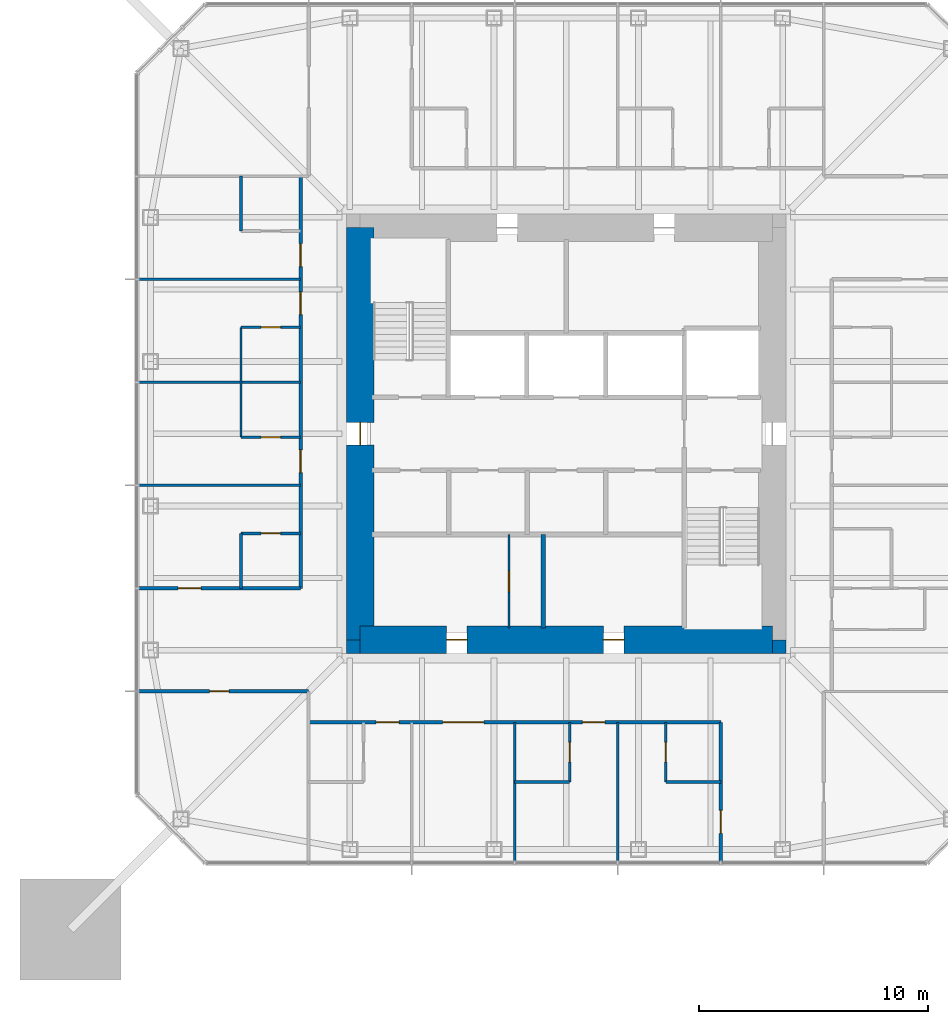
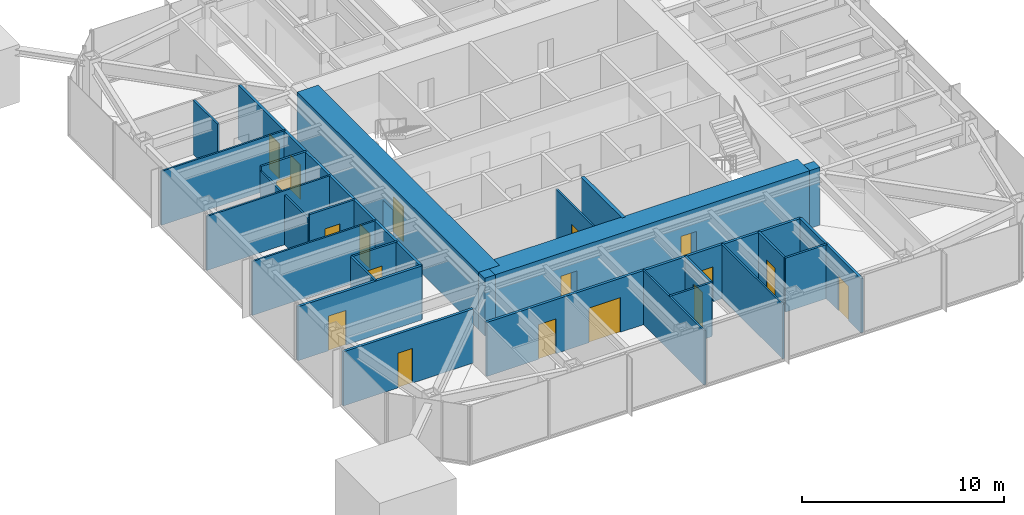
# One storey, part 6 of 11: 26 walls, 18 doors, 18 openings.
"""IFC4 building model written with IfcOpenShell, lengths in metres."""

from ifc_helpers import new_model, si_unit, direction, frame, frame_2d, origin, place, context, subcontext, project, spatial, rectangle, extrude, material, layer, layer_set, type_object, element, fill, save


model = new_model("IFC4")

# Units and contexts
model_context = context("Model", 3, precision=1e-05, world=origin(), true_north=direction((0.0, 1.0)))
body_context = subcontext(model_context, "Body", "Model", "MODEL_VIEW")
ifc_project = project(units=[si_unit("LENGTHUNIT", "METRE"), si_unit("AREAUNIT", "SQUARE_METRE"), si_unit("VOLUMEUNIT", "CUBIC_METRE"), si_unit("PLANEANGLEUNIT", "RADIAN"), si_unit("MASSUNIT", "GRAM", prefix="KILO")], contexts=[model_context])

# Site, building, storey
site_placement = place(None, origin())
site = spatial("IfcSite", under=ifc_project, at=site_placement, CompositionType="ELEMENT")
building_placement = place(site_placement, origin())
building = spatial("IfcBuilding", under=site, at=building_placement, Name="Iwan Alto Co-Living Towers", CompositionType="ELEMENT")
storey_placement = place(building_placement, frame((0.0, 0.0, 156.5)))
storey = spatial("IfcBuildingStorey", under=building, at=storey_placement, Name="L42", CompositionType="ELEMENT", Elevation=156.5)

# Wall, openings, doors
ifc_material_1 = material(Name="Gypsum board")
ifc_layer_1 = layer(ifc_material_1, 0.02490234375, Name="Board", Category="Finish")
ifc_material_2 = material(Name="Steel ASTM A1003 ST33H cold-formed studs", Category="steel")
ifc_layer_2 = layer(ifc_material_2, 0.10009765625, Name="Studs", Category="Framing")
ifc_layer_3 = layer(ifc_material_1, 0.02490234375, Name="Board", Category="Finish")
ifc_layer_set_1 = layer_set([ifc_layer_1, ifc_layer_2, ifc_layer_3], Name="CORRIDOR WALL 150")
wall_type_1 = type_object("IfcWallType", Name="CORRIDOR WALL 150", PredefinedType="PARTITIONING", material=ifc_layer_set_1)
wall_1_placement = place(storey_placement, frame((-11.25, -12.60009765625, 0.0), z_axis=(0.0, 0.0, 1.0), x_axis=(1.0, 0.0, 0.0)))
wall_1 = element("IfcWall", 1, at=wall_1_placement, inside=storey, type_object=wall_type_1, Name="Partition L42", PredefinedType="PARTITIONING", context=body_context, shape_type="SweptSolid", body=[
    extrude(rectangle(XDim=18.0, YDim=0.14990234375, at=frame_2d((9.0, 0.0))), origin(), (0.0, 0.0, 1.0), 3.27001953125),
])
opening_1_placement = place(wall_1_placement, frame((2.949951171875, 0.0, 0.0)))
opening_1 = element("IfcOpeningElement", 2, at=opening_1_placement, cuts=wall_1, Name="Opening D3", PredefinedType="OPENING", context=body_context, shape_type="SweptSolid", body=[
    extrude(rectangle(XDim=1.0, YDim=2.10009765625, at=frame_2d((0.5, 1.050048828125))), frame((0.0, 0.0849609375, 0.0), z_axis=(0.0, -1.0, 0.0), x_axis=(1.0, 0.0, 0.0)), (0.0, 0.0, 1.0), 0.169921875),
])
opening_2_placement = place(wall_1_placement, frame((5.85009765625, 0.0, 0.0)))
opening_2 = element("IfcOpeningElement", 3, at=opening_2_placement, cuts=wall_1, Name="Opening D9", PredefinedType="OPENING", context=body_context, shape_type="SweptSolid", body=[
    extrude(rectangle(XDim=1.800048828125, YDim=2.10009765625, at=frame_2d((0.89990234375, 1.050048828125))), frame((0.0, 0.0849609375, 0.0), z_axis=(0.0, -1.0, 0.0), x_axis=(1.0, 0.0, 0.0)), (0.0, 0.0, 1.0), 0.169921875),
])
opening_3_placement = place(wall_1_placement, frame((11.949951171875, 0.0, 0.0)))
opening_3 = element("IfcOpeningElement", 4, at=opening_3_placement, cuts=wall_1, Name="Opening D3", PredefinedType="OPENING", context=body_context, shape_type="SweptSolid", body=[
    extrude(rectangle(XDim=1.0, YDim=2.10009765625, at=frame_2d((0.5, 1.050048828125))), frame((0.0, 0.0849609375, 0.0), z_axis=(0.0, -1.0, 0.0), x_axis=(1.0, 0.0, 0.0)), (0.0, 0.0, 1.0), 0.169921875),
])
ifc_material_3 = material(Name="Steel frame with timber leaf", Category="steel")
door_type_1 = type_object("IfcDoorType", Name="FLAT ENTRANCE DOOR FD30S 1000X2100", OperationType="SINGLE_SWING_LEFT", PredefinedType="DOOR", material=ifc_material_3)
door_1_placement = place(opening_1_placement, frame((1.0, 0.0, 0.0), z_axis=(0.0, 0.0, 1.0), x_axis=(-1.0, 0.0, 0.0)))
door_1 = element("IfcDoor", 5, at=door_1_placement, inside=storey, type_object=door_type_1, Name="Studio door L42", OperationType="SINGLE_SWING_RIGHT", OverallHeight=2.10009765625, OverallWidth=1.0, PredefinedType="DOOR", context=body_context, shape_type="SweptSolid", body=[
    extrude(rectangle(XDim=1.0, YDim=2.10009765625, at=frame_2d((0.5, 1.050048828125))), frame((0.0, 0.02490234375, 0.0), z_axis=(0.0, -1.0, 0.0), x_axis=(1.0, 0.0, 0.0)), (0.0, 0.0, 1.0), 0.050048828125),
])
fill(opening_1, door_1)
door_2_placement = place(opening_3_placement, frame((1.0, 0.0, 0.0), z_axis=(0.0, 0.0, 1.0), x_axis=(-1.0, 0.0, 0.0)))
door_2 = element("IfcDoor", 6, at=door_2_placement, inside=storey, type_object=door_type_1, Name="Studio door L42", OperationType="SINGLE_SWING_RIGHT", OverallHeight=2.10009765625, OverallWidth=1.0, PredefinedType="DOOR", context=body_context, shape_type="SweptSolid", body=[
    extrude(rectangle(XDim=1.0, YDim=2.10009765625, at=frame_2d((0.5, 1.050048828125))), frame((0.0, 0.02490234375, 0.0), z_axis=(0.0, -1.0, 0.0), x_axis=(1.0, 0.0, 0.0)), (0.0, 0.0, 1.0), 0.050048828125),
])
fill(opening_3, door_2)
ifc_material_4 = material(Name="Steel frame with timber leaf", Category="steel")
door_type_2 = type_object("IfcDoorType", Name="LOUNGE DOOR FD30S 1800X2100", OperationType="DOUBLE_DOOR_SINGLE_SWING", PredefinedType="DOOR", material=ifc_material_4)
door_3_placement = place(opening_2_placement, frame((1.800048828125, 0.0, 0.0), z_axis=(0.0, 0.0, 1.0), x_axis=(-1.0, 0.0, 0.0)))
door_3 = element("IfcDoor", 7, at=door_3_placement, inside=storey, type_object=door_type_2, Name="Seminar room door L42", OperationType="DOUBLE_DOOR_SINGLE_SWING", OverallHeight=2.10009765625, OverallWidth=1.800048828125, PredefinedType="DOOR", context=body_context, shape_type="SweptSolid", body=[
    extrude(rectangle(XDim=1.800048828125, YDim=2.10009765625, at=frame_2d((0.89990234375, 1.050048828125))), frame((0.0, 0.02490234375, 0.0), z_axis=(0.0, -1.0, 0.0), x_axis=(1.0, 0.0, 0.0)), (0.0, 0.0, 1.0), 0.050048828125),
])
fill(opening_2, door_3)

# Wall, opening, door
wall_2_placement = place(storey_placement, frame((-18.68994140625, -11.25, 0.0), z_axis=(0.0, 0.0, 1.0), x_axis=(1.0, 0.0, 0.0)))
wall_2 = element("IfcWall", 8, at=wall_2_placement, inside=storey, type_object=wall_type_1, Name="Partition L42", PredefinedType="PARTITIONING", context=body_context, shape_type="SweptSolid", body=[
    extrude(rectangle(XDim=7.43994140625, YDim=0.14990234375, at=frame_2d((3.719970703125, 0.0))), origin(), (0.0, 0.0, 1.0), 3.27001953125),
])
opening_4_placement = place(wall_2_placement, frame((3.1201171875, 0.0, 0.0)))
opening_4 = element("IfcOpeningElement", 9, at=opening_4_placement, cuts=wall_2, Name="Opening D2", PredefinedType="OPENING", context=body_context, shape_type="SweptSolid", body=[
    extrude(rectangle(XDim=0.85009765625, YDim=2.10009765625, at=frame_2d((0.425048828125, 1.050048828125))), frame((0.0, 0.0849609375, 0.0), z_axis=(0.0, -1.0, 0.0), x_axis=(1.0, 0.0, 0.0)), (0.0, 0.0, 1.0), 0.169921875),
])
ifc_material_5 = material(Name="Timber leaf in steel frame", Category="steel")
door_type_3 = type_object("IfcDoorType", Name="ROOM DOOR 850X2100", OperationType="SINGLE_SWING_LEFT", PredefinedType="DOOR", material=ifc_material_5)
door_4_placement = place(opening_4_placement, frame((0.85009765625, 0.0, 0.0), z_axis=(0.0, 0.0, 1.0), x_axis=(-1.0, 0.0, 0.0)))
door_4 = element("IfcDoor", 10, at=door_4_placement, inside=storey, type_object=door_type_3, Name="Shared kitchen and lounge door L42", OperationType="SINGLE_SWING_RIGHT", OverallHeight=2.10009765625, OverallWidth=0.85009765625, PredefinedType="DOOR", context=body_context, shape_type="SweptSolid", body=[
    extrude(rectangle(XDim=0.85009765625, YDim=2.10009765625, at=frame_2d((0.425048828125, 1.050048828125))), frame((0.0, 0.02490234375, 0.0), z_axis=(0.0, -1.0, 0.0), x_axis=(1.0, 0.0, 0.0)), (0.0, 0.0, 1.0), 0.050048828125),
])
fill(opening_4, door_4)

wall_3_placement = place(storey_placement, frame((-18.68994140625, -6.75, 0.0), z_axis=(0.0, 0.0, 1.0), x_axis=(1.0, 0.0, 0.0)))
wall_3 = element("IfcWall", 11, at=wall_3_placement, inside=storey, type_object=wall_type_1, Name="Partition L42", PredefinedType="PARTITIONING", context=body_context, shape_type="SweptSolid", body=[
    extrude(rectangle(XDim=7.08984375, YDim=0.14990234375, at=frame_2d((3.544921875, 0.0))), origin(), (0.0, 0.0, 1.0), 3.27001953125),
])
opening_5_placement = place(wall_3_placement, frame((1.7451171875, 0.0, 0.0)))
opening_5 = element("IfcOpeningElement", 12, at=opening_5_placement, cuts=wall_3, Name="Opening D3", PredefinedType="OPENING", context=body_context, shape_type="SweptSolid", body=[
    extrude(rectangle(XDim=1.0, YDim=2.10009765625, at=frame_2d((0.5, 1.050048828125))), frame((0.0, 0.0849609375, 0.0), z_axis=(0.0, -1.0, 0.0), x_axis=(1.0, 0.0, 0.0)), (0.0, 0.0, 1.0), 0.169921875),
])
door_5_placement = place(opening_5_placement, origin())
door_5 = element("IfcDoor", 13, at=door_5_placement, inside=storey, type_object=door_type_1, Name="Studio door L42", OperationType="SINGLE_SWING_RIGHT", OverallHeight=2.10009765625, OverallWidth=1.0, PredefinedType="DOOR", context=body_context, shape_type="SweptSolid", body=[
    extrude(rectangle(XDim=1.0, YDim=2.10009765625, at=frame_2d((0.5, 1.050048828125))), frame((0.0, 0.02490234375, 0.0), z_axis=(0.0, -1.0, 0.0), x_axis=(1.0, 0.0, 0.0)), (0.0, 0.0, 1.0), 0.050048828125),
])
fill(opening_5, door_5)

wall_4_placement = place(storey_placement, frame((6.75, -18.68994140625, 0.0), z_axis=(0.0, 0.0, 1.0), x_axis=(0.0, 1.0, 0.0)))
wall_4 = element("IfcWall", 14, at=wall_4_placement, inside=storey, type_object=wall_type_1, Name="Partition L42", PredefinedType="PARTITIONING", context=body_context, shape_type="SweptSolid", body=[
    extrude(rectangle(XDim=6.08984375, YDim=0.14990234375, at=frame_2d((3.044921875, 0.0))), origin(), (0.0, 0.0, 1.0), 3.27001953125),
])
opening_6_placement = place(wall_4_placement, frame((1.2451171875, 0.0, 0.0)))
opening_6 = element("IfcOpeningElement", 15, at=opening_6_placement, cuts=wall_4, Name="Opening D3", PredefinedType="OPENING", context=body_context, shape_type="SweptSolid", body=[
    extrude(rectangle(XDim=1.0, YDim=2.10009765625, at=frame_2d((0.5, 1.050048828125))), frame((0.0, 0.0849609375, 0.0), z_axis=(0.0, -1.0, 0.0), x_axis=(1.0, 0.0, 0.0)), (0.0, 0.0, 1.0), 0.169921875),
])
door_6_placement = place(opening_6_placement, origin())
door_6 = element("IfcDoor", 16, at=door_6_placement, inside=storey, type_object=door_type_1, Name="Studio door L42", OperationType="SINGLE_SWING_RIGHT", OverallHeight=2.10009765625, OverallWidth=1.0, PredefinedType="DOOR", context=body_context, shape_type="SweptSolid", body=[
    extrude(rectangle(XDim=1.0, YDim=2.10009765625, at=frame_2d((0.5, 1.050048828125))), frame((0.0, 0.02490234375, 0.0), z_axis=(0.0, -1.0, 0.0), x_axis=(1.0, 0.0, 0.0)), (0.0, 0.0, 1.0), 0.050048828125),
])
fill(opening_6, door_6)

# Wall, openings, doors
wall_5_placement = place(storey_placement, frame((-11.60009765625, -6.75, 0.0), z_axis=(0.0, 0.0, 1.0), x_axis=(0.0, 1.0, 0.0)))
wall_5 = element("IfcWall", 17, at=wall_5_placement, inside=storey, type_object=wall_type_1, Name="Partition L42", PredefinedType="PARTITIONING", context=body_context, shape_type="SweptSolid", body=[
    extrude(rectangle(XDim=18.0, YDim=0.14990234375, at=frame_2d((9.0, 0.0))), origin(), (0.0, 0.0, 1.0), 3.27001953125),
])
opening_7_placement = place(wall_5_placement, frame((14.050048828125, 0.0, 0.0)))
opening_7 = element("IfcOpeningElement", 18, at=opening_7_placement, cuts=wall_5, Name="Opening D3", PredefinedType="OPENING", context=body_context, shape_type="SweptSolid", body=[
    extrude(rectangle(XDim=1.0, YDim=2.10009765625, at=frame_2d((0.5, 1.050048828125))), frame((0.0, 0.0849609375, 0.0), z_axis=(0.0, -1.0, 0.0), x_axis=(1.0, 0.0, 0.0)), (0.0, 0.0, 1.0), 0.169921875),
])
opening_8_placement = place(wall_5_placement, frame((11.949951171875, 0.0, 0.0)))
opening_8 = element("IfcOpeningElement", 19, at=opening_8_placement, cuts=wall_5, Name="Opening D3", PredefinedType="OPENING", context=body_context, shape_type="SweptSolid", body=[
    extrude(rectangle(XDim=1.0, YDim=2.10009765625, at=frame_2d((0.5, 1.050048828125))), frame((0.0, 0.0849609375, 0.0), z_axis=(0.0, -1.0, 0.0), x_axis=(1.0, 0.0, 0.0)), (0.0, 0.0, 1.0), 0.169921875),
])
opening_9_placement = place(wall_5_placement, frame((5.050048828125, 0.0, 0.0)))
opening_9 = element("IfcOpeningElement", 20, at=opening_9_placement, cuts=wall_5, Name="Opening D3", PredefinedType="OPENING", context=body_context, shape_type="SweptSolid", body=[
    extrude(rectangle(XDim=1.0, YDim=2.10009765625, at=frame_2d((0.5, 1.050048828125))), frame((0.0, 0.0849609375, 0.0), z_axis=(0.0, -1.0, 0.0), x_axis=(1.0, 0.0, 0.0)), (0.0, 0.0, 1.0), 0.169921875),
])
door_7_placement = place(opening_7_placement, origin())
door_7 = element("IfcDoor", 21, at=door_7_placement, inside=storey, type_object=door_type_1, Name="Studio door L42", OperationType="SINGLE_SWING_LEFT", OverallHeight=2.10009765625, OverallWidth=1.0, PredefinedType="DOOR", context=body_context, shape_type="SweptSolid", body=[
    extrude(rectangle(XDim=1.0, YDim=2.10009765625, at=frame_2d((0.5, 1.050048828125))), frame((0.0, 0.02490234375, 0.0), z_axis=(0.0, -1.0, 0.0), x_axis=(1.0, 0.0, 0.0)), (0.0, 0.0, 1.0), 0.050048828125),
])
fill(opening_7, door_7)
door_8_placement = place(opening_8_placement, origin())
door_8 = element("IfcDoor", 22, at=door_8_placement, inside=storey, type_object=door_type_1, Name="Studio door L42", OperationType="SINGLE_SWING_LEFT", OverallHeight=2.10009765625, OverallWidth=1.0, PredefinedType="DOOR", context=body_context, shape_type="SweptSolid", body=[
    extrude(rectangle(XDim=1.0, YDim=2.10009765625, at=frame_2d((0.5, 1.050048828125))), frame((0.0, 0.02490234375, 0.0), z_axis=(0.0, -1.0, 0.0), x_axis=(1.0, 0.0, 0.0)), (0.0, 0.0, 1.0), 0.050048828125),
])
fill(opening_8, door_8)
door_9_placement = place(opening_9_placement, origin())
door_9 = element("IfcDoor", 23, at=door_9_placement, inside=storey, type_object=door_type_1, Name="Studio door L42", OperationType="SINGLE_SWING_LEFT", OverallHeight=2.10009765625, OverallWidth=1.0, PredefinedType="DOOR", context=body_context, shape_type="SweptSolid", body=[
    extrude(rectangle(XDim=1.0, YDim=2.10009765625, at=frame_2d((0.5, 1.050048828125))), frame((0.0, 0.02490234375, 0.0), z_axis=(0.0, -1.0, 0.0), x_axis=(1.0, 0.0, 0.0)), (0.0, 0.0, 1.0), 0.050048828125),
])
fill(opening_9, door_9)

# Walls
ifc_layer_4 = layer(ifc_material_1, 0.012451171875, Name="Board", Category="Finish")
ifc_layer_5 = layer(ifc_material_2, 0.074951171875, Name="Studs", Category="Framing")
ifc_layer_6 = layer(ifc_material_1, 0.012451171875, Name="Board", Category="Finish")
ifc_layer_set_2 = layer_set([ifc_layer_4, ifc_layer_5, ifc_layer_6], Name="PARTITION 100")
wall_type_2 = type_object("IfcWallType", Name="PARTITION 100", PredefinedType="PARTITIONING", material=ifc_layer_set_2)
for number, where, z_axis, x_axis, name in (
    (24, (-18.68994140625, -2.25, 0.0), (0.0, 0.0, 1.0), (1.0, 0.0, 0.0), "Partition L42"),
    (25, (-18.68994140625, 2.25, 0.0), (0.0, 0.0, 1.0), (1.0, 0.0, 0.0), "Partition L42"),
    (26, (-18.68994140625, 6.75, 0.0), (0.0, 0.0, 1.0), (1.0, 0.0, 0.0), "Partition L42"),
):
    element("IfcWall", number, at=place(storey_placement, frame(where, z_axis=z_axis, x_axis=x_axis)), inside=storey, type_object=wall_type_2, Name=name, PredefinedType="PARTITIONING", context=body_context, shape_type="SweptSolid", body=[
        extrude(rectangle(XDim=7.08984375, YDim=0.10009765625, at=frame_2d((3.544921875, 0.0))), origin(), (0.0, 0.0, 1.0), 3.27001953125),
    ])
for number, where, z_axis, x_axis, name in (
    (27, (2.25, -18.68994140625, 0.0), (0.0, 0.0, 1.0), (0.0, 1.0, 0.0), "Partition L42"),
    (28, (-2.25, -18.68994140625, 0.0), (0.0, 0.0, 1.0), (0.0, 1.0, 0.0), "Partition L42"),
):
    element("IfcWall", number, at=place(storey_placement, frame(where, z_axis=z_axis, x_axis=x_axis)), inside=storey, type_object=wall_type_2, Name=name, PredefinedType="PARTITIONING", context=body_context, shape_type="SweptSolid", body=[
        extrude(rectangle(XDim=6.08984375, YDim=0.10009765625, at=frame_2d((3.044921875, 0.0))), origin(), (0.0, 0.0, 1.0), 3.27001953125),
    ])

# Wall, opening, door
wall_6_placement = place(storey_placement, frame((-2.5, -8.489990234375, 0.0), z_axis=(0.0, 0.0, 1.0), x_axis=(0.0, 1.0, 0.0)))
wall_6 = element("IfcWall", 29, at=wall_6_placement, inside=storey, type_object=wall_type_2, Name="Partition L42", PredefinedType="PARTITIONING", context=body_context, shape_type="SweptSolid", body=[
    extrude(rectangle(XDim=4.090087890625, YDim=0.10009765625, at=frame_2d((2.044921875, 0.0))), origin(), (0.0, 0.0, 1.0), 3.300048828125),
])
opening_10_placement = place(wall_6_placement, frame((1.594970703125, 0.0, 0.0)))
opening_10 = element("IfcOpeningElement", 30, at=opening_10_placement, cuts=wall_6, Name="Opening D16", PredefinedType="OPENING", context=body_context, shape_type="SweptSolid", body=[
    extrude(rectangle(XDim=0.89990234375, YDim=2.10009765625, at=frame_2d((0.449951171875, 1.050048828125))), frame((0.0, 0.06005859375, 0.0), z_axis=(0.0, -1.0, 0.0), x_axis=(1.0, 0.0, 0.0)), (0.0, 0.0, 1.0), 0.1201171875),
])
ifc_material_6 = material(Name="Timber leaf in steel frame", Category="steel")
door_type_4 = type_object("IfcDoorType", Name="CUPBOARD SLIDING DOOR 900X2100", OperationType="SLIDING_TO_LEFT", PredefinedType="DOOR", material=ifc_material_6)
door_10_placement = place(opening_10_placement, origin())
door_10 = element("IfcDoor", 31, at=door_10_placement, inside=storey, type_object=door_type_4, Name="Recycling store door L42", OperationType="SLIDING_TO_LEFT", OverallHeight=2.10009765625, OverallWidth=0.89990234375, PredefinedType="DOOR", context=body_context, shape_type="SweptSolid", body=[
    extrude(rectangle(XDim=0.89990234375, YDim=2.10009765625, at=frame_2d((0.449951171875, 1.050048828125))), frame((0.0, 0.02490234375, 0.0), z_axis=(0.0, -1.0, 0.0), x_axis=(1.0, 0.0, 0.0)), (0.0, 0.0, 1.0), 0.050048828125),
])
fill(opening_10, door_10)

# Walls
wall_7_placement = place(storey_placement, frame((-14.199951171875, -0.14990234375, 0.0), z_axis=(0.0, 0.0, 1.0), x_axis=(0.0, 1.0, 0.0)))
element("IfcWall", 32, at=wall_7_placement, inside=storey, type_object=wall_type_2, Name="Partition L42", PredefinedType="PARTITIONING", context=body_context, shape_type="SweptSolid", body=[
    extrude(rectangle(XDim=4.7998046875, YDim=0.10009765625, at=frame_2d((2.39990234375, 0.0))), origin(), (0.0, 0.0, 1.0), 3.0),
])
ifc_material_7 = material(Name="Concrete f'c 70 MPa", Category="concrete")
ifc_layer_7 = layer(ifc_material_7, 0.199951171875)
ifc_layer_set_3 = layer_set([ifc_layer_7], Name="SHAFT WALL 200")
wall_type_3 = type_object("IfcWallType", Name="SHAFT WALL 200", PredefinedType="SOLIDWALL", material=ifc_layer_set_3)
wall_8_placement = place(storey_placement, frame((-1.0, -8.489990234375, 0.0), z_axis=(0.0, 0.0, 1.0), x_axis=(0.0, 1.0, 0.0)))
element("IfcWall", 33, at=wall_8_placement, inside=storey, type_object=wall_type_3, Name="Shaft wall L42", PredefinedType="SOLIDWALL", context=body_context, shape_type="SweptSolid", body=[
    extrude(rectangle(XDim=4.090087890625, YDim=0.199951171875, at=frame_2d((2.044921875, 0.0))), origin(), (0.0, 0.0, 1.0), 3.5),
])
ifc_material_8 = material(Name="Concrete f'c 70 MPa", Category="concrete")
ifc_layer_8 = layer(ifc_material_8, 0.60009765625)
ifc_layer_set_4 = layer_set([ifc_layer_8], Name="T1 CORE CORNER FILL 600")
wall_type_4 = type_object("IfcWallType", Name="T1 CORE CORNER FILL 600", PredefinedType="SOLIDWALL", material=ifc_layer_set_4)
for number, where, z_axis, x_axis, name in (
    (34, (-9.60009765625, -9.300048828125, 0.0), (0.0, 0.0, 1.0), (1.0, 0.0, 0.0), "T1 core corner SW L42"),
    (35, (9.0, -9.300048828125, 0.0), (0.0, 0.0, 1.0), (1.0, 0.0, 0.0), "T1 core corner SE L42"),
):
    element("IfcWall", number, at=place(storey_placement, frame(where, z_axis=z_axis, x_axis=x_axis)), inside=storey, type_object=wall_type_4, Name=name, PredefinedType="SOLIDWALL", context=body_context, shape_type="SweptSolid", body=[
        extrude(rectangle(XDim=0.60009765625, YDim=0.60009765625, at=frame_2d((0.300048828125, 0.0))), origin(), (0.0, 0.0, 1.0), 3.5),
    ])

# Wall, openings, doors
ifc_material_9 = material(Name="Concrete f'c 70 MPa", Category="concrete")
ifc_layer_9 = layer(ifc_material_9, 1.199951171875)
ifc_layer_set_5 = layer_set([ifc_layer_9], Name="T1 CORE WALL 1200")
wall_type_5 = type_object("IfcWallType", Name="T1 CORE WALL 1200", PredefinedType="SHEAR", material=ifc_layer_set_5)
wall_9_placement = place(storey_placement, frame((-9.0, -9.0, 0.0), z_axis=(0.0, 0.0, 1.0), x_axis=(1.0, 0.0, 0.0)))
wall_9 = element("IfcWall", 36, at=wall_9_placement, inside=storey, type_object=wall_type_5, Name="T1 core wall S L42", PredefinedType="SHEAR", context=body_context, shape_type="SweptSolid", body=[
    extrude(rectangle(XDim=18.0, YDim=1.199951171875, at=frame_2d((9.0, 0.0))), origin(), (0.0, 0.0, 1.0), 3.5),
])
opening_11_placement = place(wall_9_placement, frame((3.77490234375, 0.0, 0.0)))
opening_11 = element("IfcOpeningElement", 37, at=opening_11_placement, cuts=wall_9, Name="Opening D8", PredefinedType="OPENING", context=body_context, shape_type="SweptSolid", body=[
    extrude(rectangle(XDim=0.89990234375, YDim=2.10009765625, at=frame_2d((0.449951171875, 1.050048828125))), frame((0.0, 0.60986328125, 0.0), z_axis=(0.0, -1.0, 0.0), x_axis=(1.0, 0.0, 0.0)), (0.0, 0.0, 1.0), 1.219970703125),
])
opening_12_placement = place(wall_9_placement, frame((10.625, 0.0, 0.0)))
opening_12 = element("IfcOpeningElement", 38, at=opening_12_placement, cuts=wall_9, Name="Opening D8", PredefinedType="OPENING", context=body_context, shape_type="SweptSolid", body=[
    extrude(rectangle(XDim=0.89990234375, YDim=2.10009765625, at=frame_2d((0.449951171875, 1.050048828125))), frame((0.0, 0.60986328125, 0.0), z_axis=(0.0, -1.0, 0.0), x_axis=(1.0, 0.0, 0.0)), (0.0, 0.0, 1.0), 1.219970703125),
])
ifc_material_10 = material(Name="Steel frame with timber leaf", Category="steel")
door_type_5 = type_object("IfcDoorType", Name="RISER DOOR FD120 900X2100", OperationType="SINGLE_SWING_LEFT", PredefinedType="DOOR", material=ifc_material_10)
door_11_placement = place(opening_11_placement, origin())
door_11 = element("IfcDoor", 39, at=door_11_placement, inside=storey, type_object=door_type_5, Name="Refuse room core door L42", OperationType="SINGLE_SWING_RIGHT", OverallHeight=2.10009765625, OverallWidth=0.89990234375, PredefinedType="DOOR", context=body_context, shape_type="SweptSolid", body=[
    extrude(rectangle(XDim=0.89990234375, YDim=2.10009765625, at=frame_2d((0.449951171875, 1.050048828125))), frame((0.0, 0.02490234375, 0.0), z_axis=(0.0, -1.0, 0.0), x_axis=(1.0, 0.0, 0.0)), (0.0, 0.0, 1.0), 0.050048828125),
])
fill(opening_11, door_11)
door_12_placement = place(opening_12_placement, origin())
door_12 = element("IfcDoor", 40, at=door_12_placement, inside=storey, type_object=door_type_5, Name="Telecom riser core door L42", OperationType="SINGLE_SWING_LEFT", OverallHeight=2.10009765625, OverallWidth=0.89990234375, PredefinedType="DOOR", context=body_context, shape_type="SweptSolid", body=[
    extrude(rectangle(XDim=0.89990234375, YDim=2.10009765625, at=frame_2d((0.449951171875, 1.050048828125))), frame((0.0, 0.02490234375, 0.0), z_axis=(0.0, -1.0, 0.0), x_axis=(1.0, 0.0, 0.0)), (0.0, 0.0, 1.0), 0.050048828125),
])
fill(opening_12, door_12)

# Wall, opening, door
wall_10_placement = place(storey_placement, frame((-9.0, 9.0, 0.0), z_axis=(0.0, 0.0, 1.0), x_axis=(0.0, -1.0, 0.0)))
wall_10 = element("IfcWall", 41, at=wall_10_placement, inside=storey, type_object=wall_type_5, Name="T1 core wall W L42", PredefinedType="SHEAR", context=body_context, shape_type="SweptSolid", body=[
    extrude(rectangle(XDim=18.0, YDim=1.199951171875, at=frame_2d((9.0, 0.0))), origin(), (0.0, 0.0, 1.0), 3.5),
])
opening_13_placement = place(wall_10_placement, frame((8.5, 0.0, 0.0)))
opening_13 = element("IfcOpeningElement", 42, at=opening_13_placement, cuts=wall_10, Name="Opening D7", PredefinedType="OPENING", context=body_context, shape_type="SweptSolid", body=[
    extrude(rectangle(XDim=1.0, YDim=2.10009765625, at=frame_2d((0.5, 1.050048828125))), frame((0.0, 0.60986328125, 0.0), z_axis=(0.0, -1.0, 0.0), x_axis=(1.0, 0.0, 0.0)), (0.0, 0.0, 1.0), 1.219970703125),
])
ifc_material_11 = material(Name="Steel frame with timber leaf", Category="steel")
door_type_6 = type_object("IfcDoorType", Name="CORE DOOR FD120S 1000X2100", OperationType="SINGLE_SWING_LEFT", PredefinedType="DOOR", material=ifc_material_11)
door_13_placement = place(opening_13_placement, origin())
door_13 = element("IfcDoor", 43, at=door_13_placement, inside=storey, type_object=door_type_6, Name="Lift lobby core door L42", OperationType="SINGLE_SWING_RIGHT", OverallHeight=2.10009765625, OverallWidth=1.0, PredefinedType="DOOR", context=body_context, shape_type="SweptSolid", body=[
    extrude(rectangle(XDim=1.0, YDim=2.10009765625, at=frame_2d((0.5, 1.050048828125))), frame((0.0, 0.02490234375, 0.0), z_axis=(0.0, -1.0, 0.0), x_axis=(1.0, 0.0, 0.0)), (0.0, 0.0, 1.0), 0.050048828125),
])
fill(opening_13, door_13)

# Walls
ifc_material_12 = material(Name="Cement board")
ifc_layer_10 = layer(ifc_material_12, 0.012451171875, Name="Board", Category="Finish")
ifc_layer_11 = layer(ifc_material_2, 0.094970703125, Name="Studs", Category="Framing")
ifc_layer_12 = layer(ifc_material_12, 0.012451171875, Name="Board", Category="Finish")
ifc_layer_set_6 = layer_set([ifc_layer_10, ifc_layer_11, ifc_layer_12], Name="WET AREA PARTITION 120")
wall_type_6 = type_object("IfcWallType", Name="WET AREA PARTITION 120", PredefinedType="PARTITIONING", material=ifc_layer_set_6)
for number, where, z_axis, x_axis, name in (
    (44, (-2.25, -15.199951171875, 0.0), (0.0, 0.0, 1.0), (1.0, 0.0, 0.0), "Partition L42"),
    (45, (4.35009765625, -15.199951171875, 0.0), (0.0, 0.0, 1.0), (1.0, 0.0, 0.0), "Partition L42"),
):
    element("IfcWall", number, at=place(storey_placement, frame(where, z_axis=z_axis, x_axis=x_axis)), inside=storey, type_object=wall_type_6, Name=name, PredefinedType="PARTITIONING", context=body_context, shape_type="SweptSolid", body=[
        extrude(rectangle(XDim=2.39990234375, YDim=0.1201171875, at=frame_2d((1.199951171875, 0.0))), origin(), (0.0, 0.0, 1.0), 3.27001953125),
    ])

# Wall, opening, door
wall_11_placement = place(storey_placement, frame((-14.199951171875, -4.35009765625, 0.0), z_axis=(0.0, 0.0, 1.0), x_axis=(1.0, 0.0, 0.0)))
wall_11 = element("IfcWall", 46, at=wall_11_placement, inside=storey, type_object=wall_type_6, Name="Partition L42", PredefinedType="PARTITIONING", context=body_context, shape_type="SweptSolid", body=[
    extrude(rectangle(XDim=2.599853515625, YDim=0.1201171875, at=frame_2d((1.2998046875, 0.0))), origin(), (0.0, 0.0, 1.0), 3.27001953125),
])
opening_14_placement = place(wall_11_placement, frame((0.875, 0.0, 0.0)))
opening_14 = element("IfcOpeningElement", 47, at=opening_14_placement, cuts=wall_11, Name="Opening D2", PredefinedType="OPENING", context=body_context, shape_type="SweptSolid", body=[
    extrude(rectangle(XDim=0.85009765625, YDim=2.10009765625, at=frame_2d((0.425048828125, 1.050048828125))), frame((0.0, 0.070068359375, 0.0), z_axis=(0.0, -1.0, 0.0), x_axis=(1.0, 0.0, 0.0)), (0.0, 0.0, 1.0), 0.14013671875),
])
door_14_placement = place(opening_14_placement, origin())
door_14 = element("IfcDoor", 48, at=door_14_placement, inside=storey, type_object=door_type_3, Name="En-suite shower room door L42", OperationType="SINGLE_SWING_RIGHT", OverallHeight=2.10009765625, OverallWidth=0.85009765625, PredefinedType="DOOR", context=body_context, shape_type="SweptSolid", body=[
    extrude(rectangle(XDim=0.85009765625, YDim=2.10009765625, at=frame_2d((0.425048828125, 1.050048828125))), frame((0.0, 0.02490234375, 0.0), z_axis=(0.0, -1.0, 0.0), x_axis=(1.0, 0.0, 0.0)), (0.0, 0.0, 1.0), 0.050048828125),
])
fill(opening_14, door_14)

wall_12_placement = place(storey_placement, frame((-14.199951171875, -0.14990234375, 0.0), z_axis=(0.0, 0.0, 1.0), x_axis=(1.0, 0.0, 0.0)))
wall_12 = element("IfcWall", 49, at=wall_12_placement, inside=storey, type_object=wall_type_6, Name="Partition L42", PredefinedType="PARTITIONING", context=body_context, shape_type="SweptSolid", body=[
    extrude(rectangle(XDim=2.599853515625, YDim=0.1201171875, at=frame_2d((1.2998046875, 0.0))), origin(), (0.0, 0.0, 1.0), 3.27001953125),
])
opening_15_placement = place(wall_12_placement, frame((0.875, 0.0, 0.0)))
opening_15 = element("IfcOpeningElement", 50, at=opening_15_placement, cuts=wall_12, Name="Opening D2", PredefinedType="OPENING", context=body_context, shape_type="SweptSolid", body=[
    extrude(rectangle(XDim=0.85009765625, YDim=2.10009765625, at=frame_2d((0.425048828125, 1.050048828125))), frame((0.0, 0.070068359375, 0.0), z_axis=(0.0, -1.0, 0.0), x_axis=(1.0, 0.0, 0.0)), (0.0, 0.0, 1.0), 0.14013671875),
])
door_15_placement = place(opening_15_placement, frame((0.85009765625, 0.0, 0.0), z_axis=(0.0, 0.0, 1.0), x_axis=(-1.0, 0.0, 0.0)))
door_15 = element("IfcDoor", 51, at=door_15_placement, inside=storey, type_object=door_type_3, Name="En-suite shower room door L42", OperationType="SINGLE_SWING_LEFT", OverallHeight=2.10009765625, OverallWidth=0.85009765625, PredefinedType="DOOR", context=body_context, shape_type="SweptSolid", body=[
    extrude(rectangle(XDim=0.85009765625, YDim=2.10009765625, at=frame_2d((0.425048828125, 1.050048828125))), frame((0.0, 0.02490234375, 0.0), z_axis=(0.0, -1.0, 0.0), x_axis=(1.0, 0.0, 0.0)), (0.0, 0.0, 1.0), 0.050048828125),
])
fill(opening_15, door_15)

wall_13_placement = place(storey_placement, frame((-14.199951171875, 4.64990234375, 0.0), z_axis=(0.0, 0.0, 1.0), x_axis=(1.0, 0.0, 0.0)))
wall_13 = element("IfcWall", 52, at=wall_13_placement, inside=storey, type_object=wall_type_6, Name="Partition L42", PredefinedType="PARTITIONING", context=body_context, shape_type="SweptSolid", body=[
    extrude(rectangle(XDim=2.599853515625, YDim=0.1201171875, at=frame_2d((1.2998046875, 0.0))), origin(), (0.0, 0.0, 1.0), 3.27001953125),
])
opening_16_placement = place(wall_13_placement, frame((0.875, 0.0, 0.0)))
opening_16 = element("IfcOpeningElement", 53, at=opening_16_placement, cuts=wall_13, Name="Opening D2", PredefinedType="OPENING", context=body_context, shape_type="SweptSolid", body=[
    extrude(rectangle(XDim=0.85009765625, YDim=2.10009765625, at=frame_2d((0.425048828125, 1.050048828125))), frame((0.0, 0.070068359375, 0.0), z_axis=(0.0, -1.0, 0.0), x_axis=(1.0, 0.0, 0.0)), (0.0, 0.0, 1.0), 0.14013671875),
])
door_16_placement = place(opening_16_placement, origin())
door_16 = element("IfcDoor", 54, at=door_16_placement, inside=storey, type_object=door_type_3, Name="En-suite shower room door L42", OperationType="SINGLE_SWING_RIGHT", OverallHeight=2.10009765625, OverallWidth=0.85009765625, PredefinedType="DOOR", context=body_context, shape_type="SweptSolid", body=[
    extrude(rectangle(XDim=0.85009765625, YDim=2.10009765625, at=frame_2d((0.425048828125, 1.050048828125))), frame((0.0, 0.02490234375, 0.0), z_axis=(0.0, -1.0, 0.0), x_axis=(1.0, 0.0, 0.0)), (0.0, 0.0, 1.0), 0.050048828125),
])
fill(opening_16, door_16)

wall_14_placement = place(storey_placement, frame((4.35009765625, -15.199951171875, 0.0), z_axis=(0.0, 0.0, 1.0), x_axis=(0.0, 1.0, 0.0)))
wall_14 = element("IfcWall", 55, at=wall_14_placement, inside=storey, type_object=wall_type_6, Name="Partition L42", PredefinedType="PARTITIONING", context=body_context, shape_type="SweptSolid", body=[
    extrude(rectangle(XDim=2.599853515625, YDim=0.1201171875, at=frame_2d((1.2998046875, 0.0))), origin(), (0.0, 0.0, 1.0), 3.27001953125),
])
opening_17_placement = place(wall_14_placement, frame((0.875, 0.0, 0.0)))
opening_17 = element("IfcOpeningElement", 56, at=opening_17_placement, cuts=wall_14, Name="Opening D2", PredefinedType="OPENING", context=body_context, shape_type="SweptSolid", body=[
    extrude(rectangle(XDim=0.85009765625, YDim=2.10009765625, at=frame_2d((0.425048828125, 1.050048828125))), frame((0.0, 0.070068359375, 0.0), z_axis=(0.0, -1.0, 0.0), x_axis=(1.0, 0.0, 0.0)), (0.0, 0.0, 1.0), 0.14013671875),
])
door_17_placement = place(opening_17_placement, origin())
door_17 = element("IfcDoor", 57, at=door_17_placement, inside=storey, type_object=door_type_3, Name="En-suite shower room door L42", OperationType="SINGLE_SWING_RIGHT", OverallHeight=2.10009765625, OverallWidth=0.85009765625, PredefinedType="DOOR", context=body_context, shape_type="SweptSolid", body=[
    extrude(rectangle(XDim=0.85009765625, YDim=2.10009765625, at=frame_2d((0.425048828125, 1.050048828125))), frame((0.0, 0.02490234375, 0.0), z_axis=(0.0, -1.0, 0.0), x_axis=(1.0, 0.0, 0.0)), (0.0, 0.0, 1.0), 0.050048828125),
])
fill(opening_17, door_17)

wall_15_placement = place(storey_placement, frame((0.14990234375, -15.199951171875, 0.0), z_axis=(0.0, 0.0, 1.0), x_axis=(0.0, 1.0, 0.0)))
wall_15 = element("IfcWall", 58, at=wall_15_placement, inside=storey, type_object=wall_type_6, Name="Partition L42", PredefinedType="PARTITIONING", context=body_context, shape_type="SweptSolid", body=[
    extrude(rectangle(XDim=2.599853515625, YDim=0.1201171875, at=frame_2d((1.2998046875, 0.0))), origin(), (0.0, 0.0, 1.0), 3.27001953125),
])
opening_18_placement = place(wall_15_placement, frame((0.875, 0.0, 0.0)))
opening_18 = element("IfcOpeningElement", 59, at=opening_18_placement, cuts=wall_15, Name="Opening D2", PredefinedType="OPENING", context=body_context, shape_type="SweptSolid", body=[
    extrude(rectangle(XDim=0.85009765625, YDim=2.10009765625, at=frame_2d((0.425048828125, 1.050048828125))), frame((0.0, 0.070068359375, 0.0), z_axis=(0.0, -1.0, 0.0), x_axis=(1.0, 0.0, 0.0)), (0.0, 0.0, 1.0), 0.14013671875),
])
door_18_placement = place(opening_18_placement, frame((0.85009765625, 0.0, 0.0), z_axis=(0.0, 0.0, 1.0), x_axis=(-1.0, 0.0, 0.0)))
door_18 = element("IfcDoor", 60, at=door_18_placement, inside=storey, type_object=door_type_3, Name="En-suite shower room door L42", OperationType="SINGLE_SWING_LEFT", OverallHeight=2.10009765625, OverallWidth=0.85009765625, PredefinedType="DOOR", context=body_context, shape_type="SweptSolid", body=[
    extrude(rectangle(XDim=0.85009765625, YDim=2.10009765625, at=frame_2d((0.425048828125, 1.050048828125))), frame((0.0, 0.02490234375, 0.0), z_axis=(0.0, -1.0, 0.0), x_axis=(1.0, 0.0, 0.0)), (0.0, 0.0, 1.0), 0.050048828125),
])
fill(opening_18, door_18)

# Walls
for number, where, z_axis, x_axis, name in (
    (61, (-14.199951171875, -6.75, 0.0), (0.0, 0.0, 1.0), (0.0, 1.0, 0.0), "Partition L42"),
    (62, (-14.199951171875, 8.85009765625, 0.0), (0.0, 0.0, 1.0), (0.0, 1.0, 0.0), "Partition L42"),
):
    element("IfcWall", number, at=place(storey_placement, frame(where, z_axis=z_axis, x_axis=x_axis)), inside=storey, type_object=wall_type_6, Name=name, PredefinedType="PARTITIONING", context=body_context, shape_type="SweptSolid", body=[
        extrude(rectangle(XDim=2.39990234375, YDim=0.1201171875, at=frame_2d((1.199951171875, 0.0))), origin(), (0.0, 0.0, 1.0), 3.27001953125),
    ])

save(model, "model.ifc")
